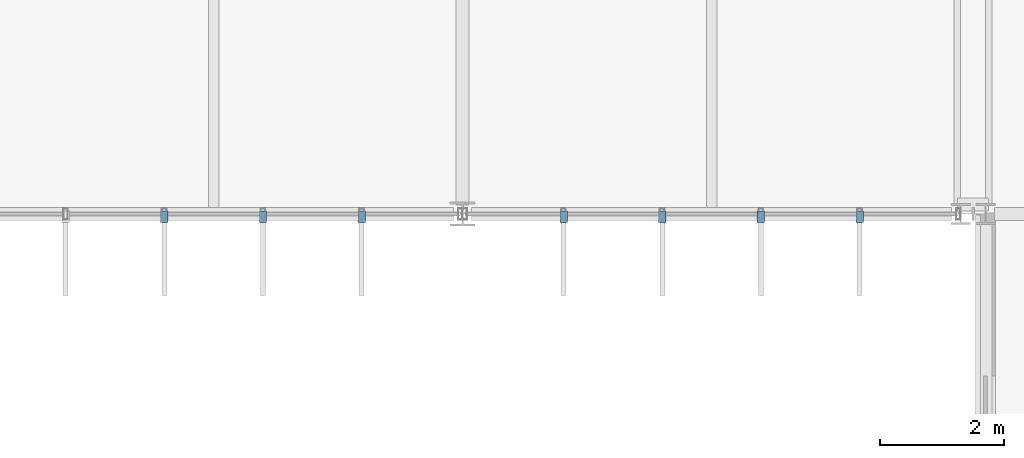
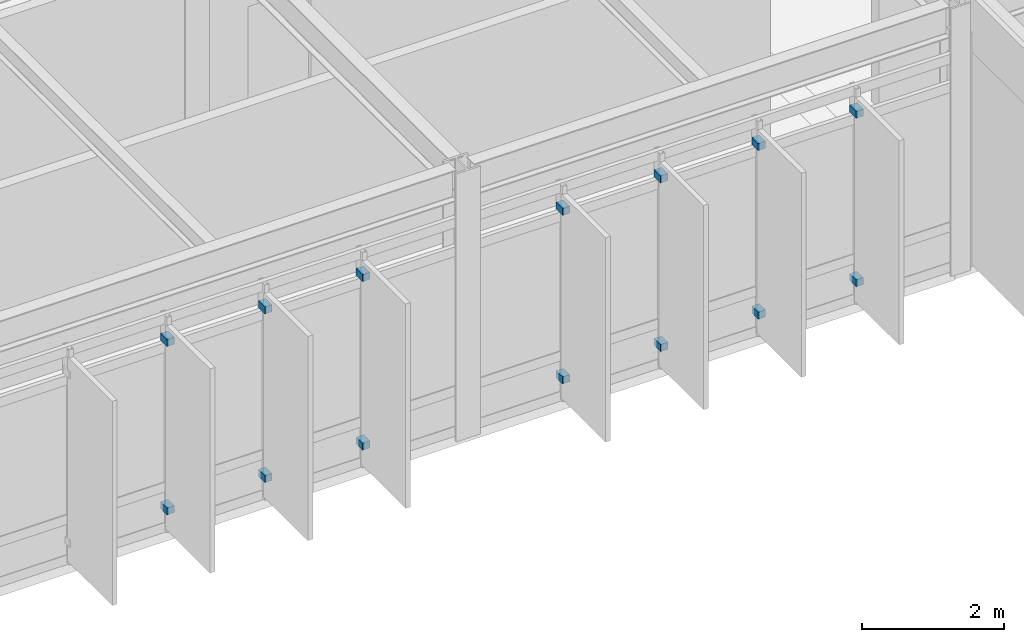
# One storey, part 95 of 104: 14 discrete accessories.
"""IFC4 building model written with IfcOpenShell, lengths in metres."""

from ifc_helpers import new_model, si_unit, direction, frame, origin, origin_2d, place, context, subcontext, project, spatial, rectangle, extrude, material, layer, layer_set, type_object, element, save


model = new_model("IFC4")

# Units and contexts
model_context = context("Model", 3, precision=1e-05, world=origin(), true_north=direction((0.0, 1.0)))
body_context = subcontext(model_context, "Body", "Model", "MODEL_VIEW")
ifc_project = project(units=[si_unit("LENGTHUNIT", "METRE"), si_unit("AREAUNIT", "SQUARE_METRE"), si_unit("VOLUMEUNIT", "CUBIC_METRE"), si_unit("PLANEANGLEUNIT", "RADIAN"), si_unit("MASSUNIT", "GRAM", prefix="KILO")], contexts=[model_context])

# Site, building, storey
site_placement = place(None, origin())
site = spatial("IfcSite", under=ifc_project, at=site_placement, CompositionType="ELEMENT")
building_placement = place(site_placement, origin())
building = spatial("IfcBuilding", under=site, at=building_placement, Name="Zulena Civic Courthouse", CompositionType="ELEMENT")
storey_placement = place(building_placement, frame((0.0, 0.0, 15.60009765625)))
storey = spatial("IfcBuildingStorey", under=building, at=storey_placement, Name="L03", CompositionType="ELEMENT", Elevation=15.60009765625)

# Discrete accessories
ifc_material = material(Name="Gold anodised architectural aluminium AA6063-T6", Category="aluminium")
ifc_layer = layer(ifc_material, 0.1201171875)
ifc_layer_set = layer_set([ifc_layer], Name="Gold anodised architectural aluminium AA6063-T6")
discrete_accessory_type = type_object("IfcDiscreteAccessoryType", Name="FinOutriggerBracket", PredefinedType="BRACKET", material=ifc_layer_set)
for number, where, z_axis, x_axis, name in (
    (1, (122.37841796875, 15.155029296875, 0.33984375), (0.0, 0.0, 1.0), (0.0, -1.0, 0.0), "brk:V4:L03:3:0:1:16.00"),
    (2, (122.37841796875, 15.155029296875, 3.229736328125), (0.0, 0.0, 1.0), (0.0, -1.0, 0.0), "brk:V4:L03:3:0:1:18.89"),
    (3, (120.792724609375, 15.155029296875, 0.33984375), (0.0, 0.0, 1.0), (0.0, -1.0, 0.0), "brk:V4:L03:3:0:2:16.00"),
    (4, (120.792724609375, 15.155029296875, 3.229736328125), (0.0, 0.0, 1.0), (0.0, -1.0, 0.0), "brk:V4:L03:3:0:2:18.89"),
    (5, (119.207275390625, 15.155029296875, 0.33984375), (0.0, 0.0, 1.0), (0.0, -1.0, 0.0), "brk:V4:L03:3:0:3:16.00"),
    (6, (119.207275390625, 15.155029296875, 3.229736328125), (0.0, 0.0, 1.0), (0.0, -1.0, 0.0), "brk:V4:L03:3:0:3:18.89"),
    (7, (117.62158203125, 15.155029296875, 0.33984375), (0.0, 0.0, 1.0), (0.0, -1.0, 0.0), "brk:V4:L03:3:0:4:16.00"),
    (8, (117.62158203125, 15.155029296875, 3.229736328125), (0.0, 0.0, 1.0), (0.0, -1.0, 0.0), "brk:V4:L03:3:0:4:18.89"),
    (9, (114.37841796875, 15.155029296875, 0.33984375), (0.0, 0.0, 1.0), (0.0, -1.0, 0.0), "brk:V4:L03:3:1:1:16.00"),
    (10, (114.37841796875, 15.155029296875, 3.229736328125), (0.0, 0.0, 1.0), (0.0, -1.0, 0.0), "brk:V4:L03:3:1:1:18.89"),
    (11, (112.792724609375, 15.155029296875, 0.33984375), (0.0, 0.0, 1.0), (0.0, -1.0, 0.0), "brk:V4:L03:3:1:2:16.00"),
    (12, (112.792724609375, 15.155029296875, 3.229736328125), (0.0, 0.0, 1.0), (0.0, -1.0, 0.0), "brk:V4:L03:3:1:2:18.89"),
    (13, (111.207275390625, 15.155029296875, 0.33984375), (0.0, 0.0, 1.0), (0.0, -1.0, 0.0), "brk:V4:L03:3:1:3:16.00"),
    (14, (111.207275390625, 15.155029296875, 3.229736328125), (0.0, 0.0, 1.0), (0.0, -1.0, 0.0), "brk:V4:L03:3:1:3:18.89"),
):
    element("IfcDiscreteAccessory", number, at=place(storey_placement, frame(where, z_axis=z_axis, x_axis=x_axis)), inside=storey, type_object=discrete_accessory_type, Name=name, PredefinedType="BRACKET", context=body_context, shape_type="SweptSolid", body=[
        extrude(rectangle(XDim=0.179931640625, YDim=0.1201171875, at=origin_2d()), origin(), (0.0, 0.0, 1.0), 0.1201171875),
    ])

save(model, "model.ifc")
